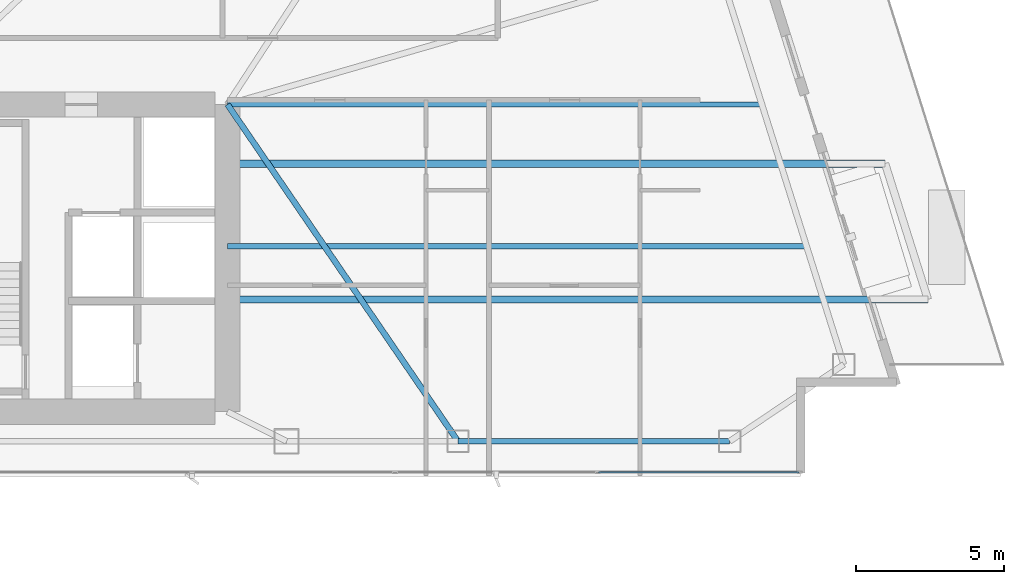
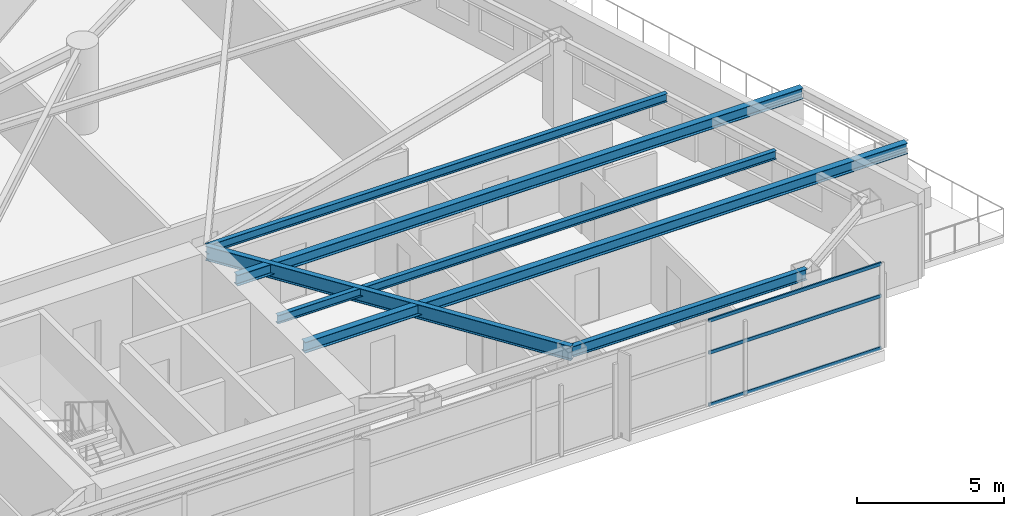
# One storey, part 14 of 30: 6 beams, 3 members, 1 element without a shape of its own.
"""IFC4 building model written with IfcOpenShell, lengths in metres."""

from ifc_helpers import new_model, si_unit, direction, frame, origin, origin_2d, place, context, subcontext, project, spatial, hollow_rectangle, i_section, extrude, material, layer, layer_set, material_profile, profile_set, type_object, element, aggregate, save


model = new_model("IFC4")

# Units and contexts
model_context = context("Model", 3, precision=1e-05, world=origin(), true_north=direction((0.0, 1.0)))
body_context = subcontext(model_context, "Body", "Model", "MODEL_VIEW")
ifc_project = project(units=[si_unit("LENGTHUNIT", "METRE"), si_unit("AREAUNIT", "SQUARE_METRE"), si_unit("VOLUMEUNIT", "CUBIC_METRE"), si_unit("PLANEANGLEUNIT", "RADIAN"), si_unit("MASSUNIT", "GRAM", prefix="KILO")], contexts=[model_context])

# Site, building, storey
site_placement = place(None, origin())
site = spatial("IfcSite", under=ifc_project, at=site_placement, CompositionType="ELEMENT")
building_placement = place(site_placement, origin())
building = spatial("IfcBuilding", under=site, at=building_placement, Name="Calvorn Quay Hotel", CompositionType="ELEMENT")
storey_placement = place(building_placement, frame((0.0, 0.0, 191.300048828125)))
storey = spatial("IfcBuildingStorey", under=building, at=storey_placement, Name="L47", CompositionType="ELEMENT", Elevation=191.300048828125)

# Beams
ifc_material_1 = material(Name="Steel Q355B", Category="steel")
ifc_material_profile_1 = material_profile(ifc_material_1, i_section(OverallWidth=0.25, OverallDepth=0.449951171875, WebThickness=0.011962890625, FlangeThickness=0.01611328125, FilletRadius=0.01611328125, at=origin_2d()), Name="HN450x250x12x16")
ifc_profile_set_1 = profile_set([ifc_material_profile_1], Name="Steel Q355B")
beam_type_1 = type_object("IfcBeamType", Name="BM-CANT-BALC", PredefinedType="BEAM", material=ifc_profile_set_1)
beam_1_placement = place(storey_placement, frame((32.39990234375, 8.39990234375, 3.31494140625), z_axis=(1.0, 0.0, 0.0), x_axis=(0.0, 1.0, 0.0)))
element("IfcBeam", 1, at=beam_1_placement, inside=storey, type_object=beam_type_1, Name="Cantilever Balcony Beam BCB-L48-1A", PredefinedType="BEAM", context=body_context, shape_type="SweptSolid", body=[
    extrude(i_section(OverallWidth=0.25, OverallDepth=0.449951171875, WebThickness=0.011962890625, FlangeThickness=0.01611328125, FilletRadius=0.01611328125, at=origin_2d()), origin(), (0.0, 0.0, 1.0), 23.7080078125),
])
beam_2_placement = place(storey_placement, frame((32.39990234375, 13.0, 3.31494140625), z_axis=(1.0, 0.0, 0.0), x_axis=(0.0, 1.0, 0.0)))
element("IfcBeam", 2, at=beam_2_placement, inside=storey, type_object=beam_type_1, Name="Cantilever Balcony Beam BCB-L48-1B", PredefinedType="BEAM", context=body_context, shape_type="SweptSolid", body=[
    extrude(i_section(OverallWidth=0.25, OverallDepth=0.449951171875, WebThickness=0.011962890625, FlangeThickness=0.01611328125, FilletRadius=0.01611328125, at=origin_2d()), origin(), (0.0, 0.0, 1.0), 22.258056640625),
])
ifc_material_2 = material(Name="Steel Q355B", Category="steel")
ifc_material_profile_2 = material_profile(ifc_material_2, i_section(OverallWidth=0.199951171875, OverallDepth=0.60009765625, WebThickness=0.010986328125, FlangeThickness=0.01708984375, FilletRadius=0.01806640625, at=origin_2d()), Name="HN600x200x11x17")
ifc_profile_set_2 = profile_set([ifc_material_profile_2], Name="Steel Q355B")
beam_type_2 = type_object("IfcBeamType", Name="BM-GIRD-TYP", PredefinedType="BEAM", material=ifc_profile_set_2)
beam_3_placement = place(storey_placement, frame((40.199951171875, 3.60009765625, 3.239990234375), z_axis=(-0.564689618177, 0.825303359452, 0.0), x_axis=(-0.825303359452, -0.564689618177, 0.0)))
element("IfcBeam", 3, at=beam_3_placement, inside=storey, type_object=beam_type_2, Name="Beam BG-L47-E6", PredefinedType="BEAM", context=body_context, shape_type="SweptSolid", body=[
    extrude(i_section(OverallWidth=0.199951171875, OverallDepth=0.60009765625, WebThickness=0.010986328125, FlangeThickness=0.01708984375, FilletRadius=0.01806640625, at=origin_2d()), origin(), (0.0, 0.0, 1.0), 13.81298828125),
])
ifc_material_3 = material(Name="Steel Q355B", Category="steel")
ifc_material_profile_3 = material_profile(ifc_material_3, i_section(OverallWidth=0.175048828125, OverallDepth=0.35009765625, WebThickness=0.007080078125, FlangeThickness=0.010986328125, FilletRadius=0.013916015625, at=origin_2d()), Name="HN350x175x7x11")
ifc_profile_set_3 = profile_set([ifc_material_profile_3], Name="Steel Q355B")
beam_type_3 = type_object("IfcBeamType", Name="BM-JOIST-SEC", PredefinedType="JOIST", material=ifc_profile_set_3)
beam_4_placement = place(storey_placement, frame((32.39990234375, 10.199951171875, 3.364990234375), z_axis=(1.0, 0.0, 0.0), x_axis=(0.0, 1.0, 0.0)))
element("IfcBeam", 4, at=beam_4_placement, inside=storey, type_object=beam_type_3, Name="Beam BJ-L47-E1", PredefinedType="JOIST", context=body_context, shape_type="SweptSolid", body=[
    extrude(i_section(OverallWidth=0.175048828125, OverallDepth=0.35009765625, WebThickness=0.007080078125, FlangeThickness=0.010986328125, FilletRadius=0.013916015625, at=origin_2d()), origin(), (0.0, 0.0, 1.0), 19.60107421875),
])
beam_5_placement = place(storey_placement, frame((32.39990234375, 15.0, 3.364990234375), z_axis=(1.0, 0.0, 0.0), x_axis=(0.0, 1.0, 0.0)))
element("IfcBeam", 5, at=beam_5_placement, inside=storey, type_object=beam_type_3, Name="Beam BJ-L47-E2", PredefinedType="JOIST", context=body_context, shape_type="SweptSolid", body=[
    extrude(i_section(OverallWidth=0.175048828125, OverallDepth=0.35009765625, WebThickness=0.007080078125, FlangeThickness=0.010986328125, FilletRadius=0.013916015625, at=origin_2d()), origin(), (0.0, 0.0, 1.0), 18.088134765625),
])
ifc_material_4 = material(Name="Steel Q355B", Category="steel")
ifc_material_profile_4 = material_profile(ifc_material_4, i_section(OverallWidth=0.199951171875, OverallDepth=0.449951171875, WebThickness=0.009033203125, FlangeThickness=0.013916015625, FilletRadius=0.01611328125, at=origin_2d()), Name="HN450x200x9x14")
ifc_profile_set_4 = profile_set([ifc_material_profile_4], Name="Steel Q355B")
beam_type_4 = type_object("IfcBeamType", Name="BM-SPANDREL-Z3", PredefinedType="SPANDREL", material=ifc_profile_set_4)
beam_6_placement = place(storey_placement, frame((40.199951171875, 3.60009765625, 3.31494140625), z_axis=(1.0, 0.0, 0.0), x_axis=(0.0, 1.0, 0.0)))
element("IfcBeam", 6, at=beam_6_placement, inside=storey, type_object=beam_type_4, Name="Beam BSP-L47-S5", PredefinedType="SPANDREL", context=body_context, shape_type="SweptSolid", body=[
    extrude(i_section(OverallWidth=0.199951171875, OverallDepth=0.449951171875, WebThickness=0.009033203125, FlangeThickness=0.013916015625, FilletRadius=0.01611328125, at=origin_2d()), origin(), (0.0, 0.0, 1.0), 9.199951171875),
])

# Curtain wall, members
ifc_material_5 = material(Name="Champagne Bronze Anodised Aluminium and Low-E Glass", Category="aluminium")
ifc_layer = layer(ifc_material_5, 0.219970703125)
ifc_layer_set = layer_set([ifc_layer], Name="CW-SYS-Z3")
curtain_wall_type = type_object("IfcCurtainWallType", Name="CW-SYS-Z3", PredefinedType="NOTDEFINED", material=ifc_layer_set)
curtain_wall_placement = place(storey_placement, origin())
curtain_wall = element("IfcCurtainWall", 7, at=curtain_wall_placement, inside=storey, type_object=curtain_wall_type, Name="Tower South Waterfront Curtain Wall (L47)", PredefinedType="NOTDEFINED")
ifc_material_6 = material(Name="Champagne Bronze Anodised Aluminium 6063-T6", Category="aluminium")
ifc_material_profile_5 = material_profile(ifc_material_6, hollow_rectangle(XDim=0.05810546875, YDim=0.139892578125, WallThickness=0.003173828125, at=origin_2d()), Name="ALU-T140x58x3.2")
ifc_profile_set_5 = profile_set([ifc_material_profile_5], Name="Champagne Bronze Anodised Aluminium 6063-T6")
member_type = type_object("IfcMemberType", Name="CW-SYS-Z3-TRN", PredefinedType="USERDEFINED", material=ifc_profile_set_5)
member_1_placement = place(storey_placement, frame((44.96337890625, 2.550048828125, 0.030029296875), z_axis=(1.0, 0.0, 0.0), x_axis=(0.0, 1.0, 0.0)))
member_1 = element("IfcMember", 8, at=member_1_placement, type_object=member_type, Name="CW-L47-S transom 6.1", ObjectType="TRANSOM", PredefinedType="USERDEFINED", context=body_context, shape_type="SweptSolid", body=[
    extrude(hollow_rectangle(XDim=0.05810546875, YDim=0.139892578125, WallThickness=0.003173828125, at=origin_2d()), origin(), (0.0, 0.0, 1.0), 6.776611328125),
])
member_2_placement = place(storey_placement, frame((44.96337890625, 2.550048828125, 2.199951171875), z_axis=(1.0, 0.0, 0.0), x_axis=(0.0, 1.0, 0.0)))
member_2 = element("IfcMember", 9, at=member_2_placement, type_object=member_type, Name="CW-L47-S transom 6.2", ObjectType="TRANSOM", PredefinedType="USERDEFINED", context=body_context, shape_type="SweptSolid", body=[
    extrude(hollow_rectangle(XDim=0.05810546875, YDim=0.139892578125, WallThickness=0.003173828125, at=origin_2d()), origin(), (0.0, 0.0, 1.0), 6.776611328125),
])
member_3_placement = place(storey_placement, frame((44.96337890625, 2.550048828125, 3.530029296875), z_axis=(1.0, 0.0, 0.0), x_axis=(0.0, 1.0, 0.0)))
member_3 = element("IfcMember", 10, at=member_3_placement, type_object=member_type, Name="CW-L47-S transom 6.3", ObjectType="TRANSOM", PredefinedType="USERDEFINED", context=body_context, shape_type="SweptSolid", body=[
    extrude(hollow_rectangle(XDim=0.05810546875, YDim=0.139892578125, WallThickness=0.003173828125, at=origin_2d()), origin(), (0.0, 0.0, 1.0), 6.776611328125),
])
aggregate(curtain_wall, [member_1, member_2, member_3])

save(model, "model.ifc")
